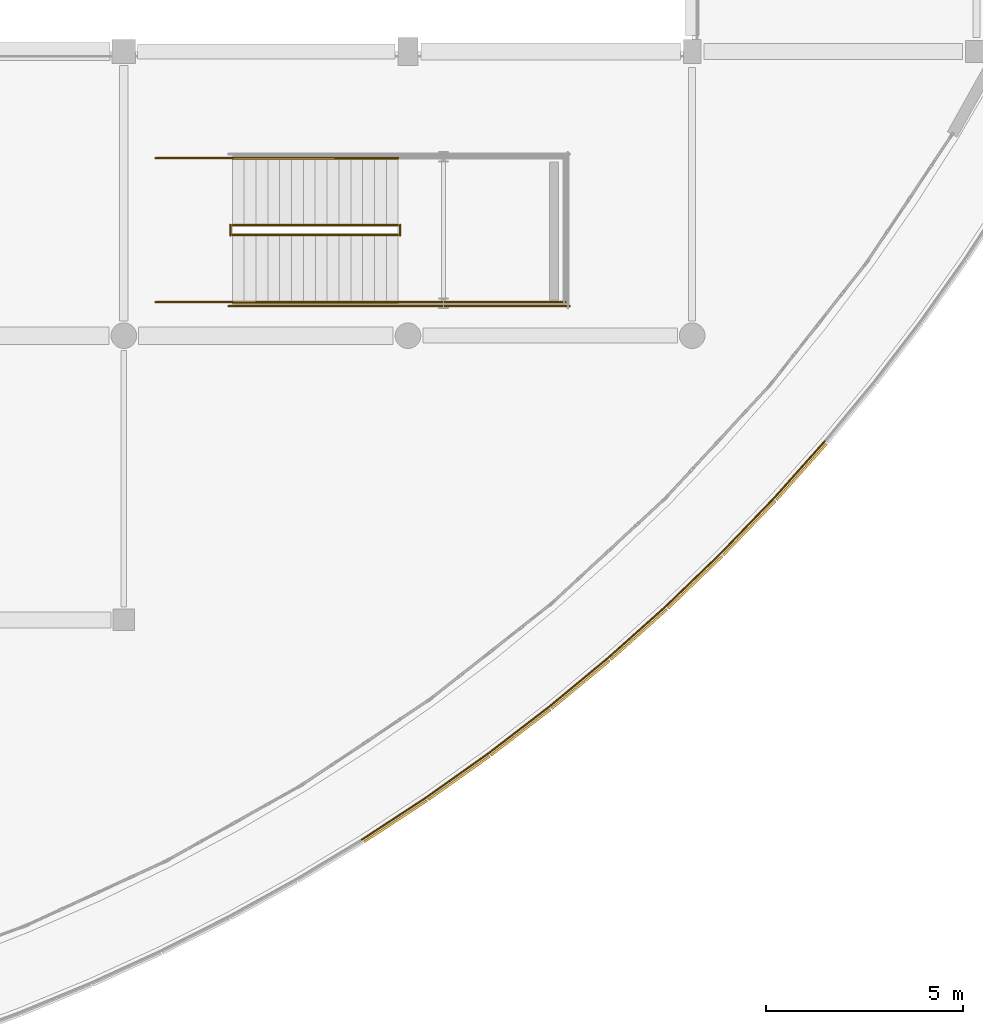
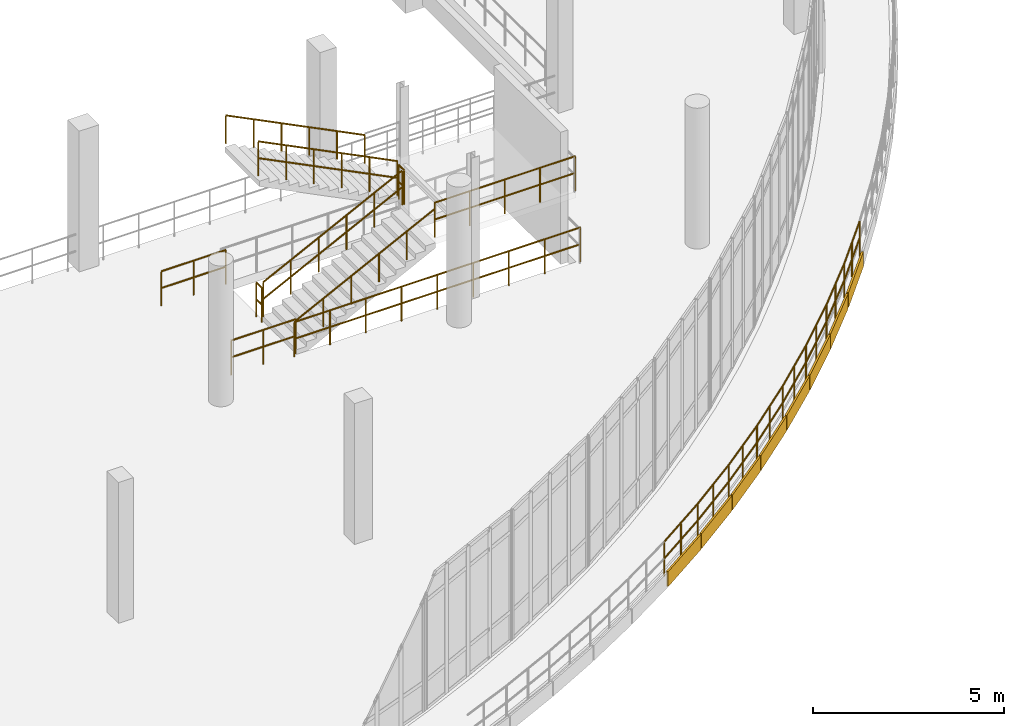
# One storey, part 124 of 134: 18 railings, 8 coverings.
"""IFC4 building model written with IfcOpenShell, lengths in metres."""

from ifc_helpers import new_model, si_unit, direction, frame, origin, origin_2d, place, context, subcontext, project, spatial, rectangle, circle, extrude, material, layer, layer_set, type_object, element, save


model = new_model("IFC4")

# Units and contexts
model_context = context("Model", 3, precision=1e-05, world=origin(), true_north=direction((0.0, 1.0)))
body_context = subcontext(model_context, "Body", "Model", "MODEL_VIEW")
ifc_project = project(units=[si_unit("LENGTHUNIT", "METRE"), si_unit("AREAUNIT", "SQUARE_METRE"), si_unit("VOLUMEUNIT", "CUBIC_METRE"), si_unit("PLANEANGLEUNIT", "RADIAN"), si_unit("MASSUNIT", "GRAM", prefix="KILO")], contexts=[model_context])

# Site, building, storey
site_placement = place(None, origin())
site = spatial("IfcSite", under=ifc_project, at=site_placement, CompositionType="ELEMENT")
building_placement = place(site_placement, origin())
building = spatial("IfcBuilding", under=site, at=building_placement, Name="Kalluvel Institute of Natural Sciences", CompositionType="ELEMENT")
storey_placement = place(building_placement, frame((0.0, 0.0, 5.39990234375)))
storey = spatial("IfcBuildingStorey", under=building, at=storey_placement, Name="L01", CompositionType="ELEMENT", Elevation=5.39990234375)

# Coverings
ifc_material_1 = material(Name="Sadarahalli Grey Granite Ashlar Concrete M40", Category="masonry")
ifc_layer = layer(ifc_material_1, 0.044921875)
ifc_layer_set = layer_set([ifc_layer], Name="Sadarahalli Grey Granite Ashlar Concrete M40")
covering_type = type_object("IfcCoveringType", Name="COV-CLAD-STONE", PredefinedType="CLADDING", material=ifc_layer_set)
for number, where, z_axis, x_axis, name in (
    (1, (64.084716796875, 59.294677734375, -0.31982421875), (0.0, 0.0, 1.0), (0.836573126862, 0.547855275974, 0.0), "L01 curved terrace Sadarahalli stone spandrel fascia 218"),
    (2, (65.69140625, 60.39013671875, -0.31982421875), (0.0, 0.0, 1.0), (0.815532011604, 0.578711964667, 0.0), "L01 curved terrace Sadarahalli stone spandrel fascia 219"),
    (3, (67.256103515625, 61.544921875, -0.31982421875), (0.0, 0.0, 1.0), (0.793353340291, 0.608761429009, 0.0), "L01 curved terrace Sadarahalli stone spandrel fascia 220"),
):
    element("IfcCovering", number, at=place(storey_placement, frame(where, z_axis=z_axis, x_axis=x_axis)), inside=storey, type_object=covering_type, Name=name, PredefinedType="CLADDING", context=body_context, shape_type="SweptSolid", body=[
        extrude(rectangle(XDim=1.90478515625, YDim=0.054931640625, at=origin_2d()), origin(), (0.0, 0.0, 1.0), 0.47998046875),
    ])
covering_placement = place(storey_placement, frame((68.776611328125, 62.75732421875, -0.31982421875), z_axis=(0.0, 0.0, 1.0), x_axis=(0.770068049148, 0.637961754089, 0.0)))
element("IfcCovering", 4, at=covering_placement, inside=storey, type_object=covering_type, Name="L01 curved terrace Sadarahalli stone spandrel fascia 221", PredefinedType="CLADDING", context=body_context, shape_type="SweptSolid", body=[
    extrude(rectangle(XDim=1.904541015625, YDim=0.054931640625, at=origin_2d()), origin(), (0.0, 0.0, 1.0), 0.47998046875),
])
for number, where, z_axis, x_axis, name in (
    (5, (70.25048828125, 64.02587890625, -0.31982421875), (0.0, 0.0, 1.0), (0.745708617985, 0.666272209433, 0.0), "L01 curved terrace Sadarahalli stone spandrel fascia 222"),
    (6, (71.67626953125, 65.3486328125, -0.31982421875), (0.0, 0.0, 1.0), (0.720187948577, 0.693779012888, 0.0), "L01 curved terrace Sadarahalli stone spandrel fascia 223"),
    (7, (73.051513671875, 66.723876953125, -0.31982421875), (0.0, 0.0, 1.0), (0.693779012888, 0.720187948577, 0.0), "L01 curved terrace Sadarahalli stone spandrel fascia 224"),
    (8, (74.3740234375, 68.1494140625, -0.31982421875), (0.0, 0.0, 1.0), (0.666272209433, 0.745708617985, 0.0), "L01 curved terrace Sadarahalli stone spandrel fascia 225"),
):
    element("IfcCovering", number, at=place(storey_placement, frame(where, z_axis=z_axis, x_axis=x_axis)), inside=storey, type_object=covering_type, Name=name, PredefinedType="CLADDING", context=body_context, shape_type="SweptSolid", body=[
        extrude(rectangle(XDim=1.90478515625, YDim=0.054931640625, at=origin_2d()), origin(), (0.0, 0.0, 1.0), 0.47998046875),
    ])

# Railings
ifc_material_2 = material(Name="Steel E350 Grade 350", Category="steel")
railing_type_1 = type_object("IfcRailingType", Name="RL-BAL-EXT", PredefinedType="BALUSTRADE", material=ifc_material_2)
railing_1_placement = place(storey_placement, frame((63.228515625, 58.82958984375, 0.0)))
element("IfcRailing", 9, at=railing_1_placement, inside=storey, type_object=railing_type_1, Name="L01 curved atrium terrace balustrade", PredefinedType="BALUSTRADE", context=body_context, shape_type="SweptSolid", body=[
    extrude(circle(Radius=0.02392578125, at=origin_2d()), frame((0.0, 0.0, 1.09619140625), z_axis=(0.836643905497, 0.547747182006, 0.0), x_axis=(-0.547747182006, 0.836643905497, 0.0)), (0.0, 0.0, 1.0), 1.94189453125),
    extrude(circle(Radius=0.02392578125, at=origin_2d()), frame((0.0, 0.0, 0.56005859375), z_axis=(0.836643905497, 0.547747182006, 0.0), x_axis=(-0.547747182006, 0.836643905497, 0.0)), (0.0, 0.0, 1.0), 1.94189453125),
    extrude(circle(Radius=0.02099609375, at=origin_2d()), origin(), (0.0, 0.0, 1.0), 1.072021484375),
    extrude(circle(Radius=0.02099609375, at=origin_2d()), frame((0.8125, 0.53173828125, 0.0)), (0.0, 0.0, 1.0), 1.072021484375),
    extrude(circle(Radius=0.02099609375, at=origin_2d()), frame((1.624755859375, 1.063720703125, 0.0)), (0.0, 0.0, 1.0), 1.072021484375),
])
railing_2_placement = place(storey_placement, frame((64.853271484375, 59.893310546875, 0.0)))
element("IfcRailing", 10, at=railing_2_placement, inside=storey, type_object=railing_type_1, Name="L01 curved atrium terrace balustrade", PredefinedType="BALUSTRADE", context=body_context, shape_type="SweptSolid", body=[
    extrude(circle(Radius=0.02392578125, at=origin_2d()), frame((0.0, 0.0, 1.09619140625), z_axis=(0.815547338451, 0.578690365175, 0.0), x_axis=(-0.578690365175, 0.815547338451, 0.0)), (0.0, 0.0, 1.0), 1.94189453125),
    extrude(circle(Radius=0.02392578125, at=origin_2d()), frame((0.0, 0.0, 0.56005859375), z_axis=(0.815547338451, 0.578690365175, 0.0), x_axis=(-0.578690365175, 0.815547338451, 0.0)), (0.0, 0.0, 1.0), 1.94189453125),
    extrude(circle(Radius=0.02099609375, at=origin_2d()), origin(), (0.0, 0.0, 1.0), 1.072021484375),
    extrude(circle(Radius=0.02099609375, at=origin_2d()), frame((0.7919921875, 0.56201171875, 0.0)), (0.0, 0.0, 1.0), 1.072021484375),
    extrude(circle(Radius=0.02099609375, at=origin_2d()), frame((1.583740234375, 1.123779296875, 0.0)), (0.0, 0.0, 1.0), 1.072021484375),
])
railing_3_placement = place(storey_placement, frame((66.43701171875, 61.01708984375, 0.0)))
element("IfcRailing", 11, at=railing_3_placement, inside=storey, type_object=railing_type_1, Name="L01 curved atrium terrace balustrade", PredefinedType="BALUSTRADE", context=body_context, shape_type="SweptSolid", body=[
    extrude(circle(Radius=0.02392578125, at=origin_2d()), frame((0.0, 0.0, 1.09619140625), z_axis=(0.793329092883, 0.608793027544, 0.0), x_axis=(-0.608793027544, 0.793329092883, 0.0)), (0.0, 0.0, 1.0), 1.942138671875),
    extrude(circle(Radius=0.02392578125, at=origin_2d()), frame((0.0, 0.0, 0.56005859375), z_axis=(0.793329092883, 0.608793027544, 0.0), x_axis=(-0.608793027544, 0.793329092883, 0.0)), (0.0, 0.0, 1.0), 1.942138671875),
    extrude(circle(Radius=0.02099609375, at=origin_2d()), origin(), (0.0, 0.0, 1.0), 1.072021484375),
    extrude(circle(Radius=0.02099609375, at=origin_2d()), frame((0.7705078125, 0.59130859375, 0.0)), (0.0, 0.0, 1.0), 1.072021484375),
    extrude(circle(Radius=0.02099609375, at=origin_2d()), frame((1.540771484375, 1.182373046875, 0.0)), (0.0, 0.0, 1.0), 1.072021484375),
])
railing_4_placement = place(storey_placement, frame((67.977783203125, 62.199462890625, 0.0)))
element("IfcRailing", 12, at=railing_4_placement, inside=storey, type_object=railing_type_1, Name="L01 curved atrium terrace balustrade", PredefinedType="BALUSTRADE", context=body_context, shape_type="SweptSolid", body=[
    extrude(circle(Radius=0.02392578125, at=origin_2d()), frame((0.0, 0.0, 1.09619140625), z_axis=(0.769959798664, 0.638092398044, 0.0), x_axis=(-0.638092398044, 0.769959798664, 0.0)), (0.0, 0.0, 1.0), 1.942138671875),
    extrude(circle(Radius=0.02392578125, at=origin_2d()), frame((0.0, 0.0, 0.56005859375), z_axis=(0.769959798664, 0.638092398044, 0.0), x_axis=(-0.638092398044, 0.769959798664, 0.0)), (0.0, 0.0, 1.0), 1.942138671875),
    extrude(circle(Radius=0.02099609375, at=origin_2d()), origin(), (0.0, 0.0, 1.0), 1.072021484375),
    extrude(circle(Radius=0.02099609375, at=origin_2d()), frame((0.74755859375, 0.61962890625, 0.0)), (0.0, 0.0, 1.0), 1.072021484375),
    extrude(circle(Radius=0.02099609375, at=origin_2d()), frame((1.495361328125, 1.2392578125, 0.0)), (0.0, 0.0, 1.0), 1.072021484375),
])
railing_5_placement = place(storey_placement, frame((69.47314453125, 63.438720703125, 0.0)))
element("IfcRailing", 13, at=railing_5_placement, inside=storey, type_object=railing_type_1, Name="L01 curved atrium terrace balustrade", PredefinedType="BALUSTRADE", context=body_context, shape_type="SweptSolid", body=[
    extrude(circle(Radius=0.02392578125, at=origin_2d()), frame((0.0, 0.0, 1.09619140625), z_axis=(0.74571457068, 0.666265546967, 0.0), x_axis=(-0.666265546967, 0.74571457068, 0.0)), (0.0, 0.0, 1.0), 1.942138671875),
    extrude(circle(Radius=0.02392578125, at=origin_2d()), frame((0.0, 0.0, 0.56005859375), z_axis=(0.74571457068, 0.666265546967, 0.0), x_axis=(-0.666265546967, 0.74571457068, 0.0)), (0.0, 0.0, 1.0), 1.942138671875),
    extrude(circle(Radius=0.02099609375, at=origin_2d()), origin(), (0.0, 0.0, 1.0), 1.072021484375),
    extrude(circle(Radius=0.02099609375, at=origin_2d()), frame((0.72412109375, 0.64697265625, 0.0)), (0.0, 0.0, 1.0), 1.072021484375),
    extrude(circle(Radius=0.02099609375, at=origin_2d()), frame((1.4482421875, 1.2939453125, 0.0)), (0.0, 0.0, 1.0), 1.072021484375),
])
railing_6_placement = place(storey_placement, frame((70.92138671875, 64.732666015625, 0.0)))
element("IfcRailing", 14, at=railing_6_placement, inside=storey, type_object=railing_type_1, Name="L01 curved atrium terrace balustrade", PredefinedType="BALUSTRADE", context=body_context, shape_type="SweptSolid", body=[
    extrude(circle(Radius=0.02392578125, at=origin_2d()), frame((0.0, 0.0, 1.09619140625), z_axis=(0.720245762053, 0.693718993718, 0.0), x_axis=(-0.693718993718, 0.720245762053, 0.0)), (0.0, 0.0, 1.0), 1.94189453125),
    extrude(circle(Radius=0.02392578125, at=origin_2d()), frame((0.0, 0.0, 0.56005859375), z_axis=(0.720245762053, 0.693718993718, 0.0), x_axis=(-0.693718993718, 0.720245762053, 0.0)), (0.0, 0.0, 1.0), 1.94189453125),
    extrude(circle(Radius=0.02099609375, at=origin_2d()), origin(), (0.0, 0.0, 1.0), 1.072021484375),
    extrude(circle(Radius=0.02099609375, at=origin_2d()), frame((0.69921875, 0.673583984375, 0.0)), (0.0, 0.0, 1.0), 1.072021484375),
    extrude(circle(Radius=0.02099609375, at=origin_2d()), frame((1.398681640625, 1.34716796875, 0.0)), (0.0, 0.0, 1.0), 1.072021484375),
])
railing_7_placement = place(storey_placement, frame((72.320068359375, 66.079833984375, 0.0)))
element("IfcRailing", 15, at=railing_7_placement, inside=storey, type_object=railing_type_1, Name="L01 curved atrium terrace balustrade", PredefinedType="BALUSTRADE", context=body_context, shape_type="SweptSolid", body=[
    extrude(circle(Radius=0.02392578125, at=origin_2d()), frame((0.0, 0.0, 1.09619140625), z_axis=(0.693784202561, 0.720182949171, 0.0), x_axis=(-0.720182949171, 0.693784202561, 0.0)), (0.0, 0.0, 1.0), 1.942138671875),
    extrude(circle(Radius=0.02392578125, at=origin_2d()), frame((0.0, 0.0, 0.56005859375), z_axis=(0.693784202561, 0.720182949171, 0.0), x_axis=(-0.720182949171, 0.693784202561, 0.0)), (0.0, 0.0, 1.0), 1.942138671875),
    extrude(circle(Radius=0.02099609375, at=origin_2d()), origin(), (0.0, 0.0, 1.0), 1.072021484375),
    extrude(circle(Radius=0.02099609375, at=origin_2d()), frame((0.673828125, 0.69921875, 0.0)), (0.0, 0.0, 1.0), 1.072021484375),
    extrude(circle(Radius=0.02099609375, at=origin_2d()), frame((1.347412109375, 1.398681640625, 0.0)), (0.0, 0.0, 1.0), 1.072021484375),
])
railing_8_placement = place(storey_placement, frame((73.66748046875, 67.478515625, 0.0)))
element("IfcRailing", 16, at=railing_8_placement, inside=storey, type_object=railing_type_1, Name="L01 curved atrium terrace balustrade", PredefinedType="BALUSTRADE", context=body_context, shape_type="SweptSolid", body=[
    extrude(circle(Radius=0.02392578125, at=origin_2d()), frame((0.0, 0.0, 1.09619140625), z_axis=(0.666265546967, 0.74571457068, 0.0), x_axis=(-0.74571457068, 0.666265546967, 0.0)), (0.0, 0.0, 1.0), 1.942138671875),
    extrude(circle(Radius=0.02392578125, at=origin_2d()), frame((0.0, 0.0, 0.56005859375), z_axis=(0.666265546967, 0.74571457068, 0.0), x_axis=(-0.74571457068, 0.666265546967, 0.0)), (0.0, 0.0, 1.0), 1.942138671875),
    extrude(circle(Radius=0.02099609375, at=origin_2d()), origin(), (0.0, 0.0, 1.0), 1.072021484375),
    extrude(circle(Radius=0.02099609375, at=origin_2d()), frame((0.64697265625, 0.72412109375, 0.0)), (0.0, 0.0, 1.0), 1.072021484375),
    extrude(circle(Radius=0.02099609375, at=origin_2d()), frame((1.2939453125, 1.4482421875, 0.0)), (0.0, 0.0, 1.0), 1.072021484375),
])
ifc_material_3 = material(Name="Galvanized Fire-Rated Steel", Category="steel")
railing_type_2 = type_object("IfcRailingType", Name="RL-GD-STAIR", PredefinedType="BALUSTRADE", material=ifc_material_3)
railing_9_placement = place(storey_placement, frame((59.949951171875, 74.14990234375, 0.150146484375)))
element("IfcRailing", 17, at=railing_9_placement, inside=storey, type_object=railing_type_2, Name="L01 ST6 stair guard 1", PredefinedType="BALUSTRADE", context=body_context, shape_type="SweptSolid", body=[
    extrude(circle(Radius=0.02392578125, at=origin_2d()), frame((0.0, 0.0, 1.09619140625), z_axis=(0.894437589381, 0.0, 0.447192798132), x_axis=(0.0, 1.0, 0.0)), (0.0, 0.0, 1.0), 4.695556640625),
    extrude(circle(Radius=0.02392578125, at=origin_2d()), frame((0.0, 0.0, 0.56005859375), z_axis=(0.894437589381, 0.0, 0.447192798132), x_axis=(0.0, 1.0, 0.0)), (0.0, 0.0, 1.0), 4.695556640625),
    extrude(circle(Radius=0.02099609375, at=origin_2d()), origin(), (0.0, 0.0, 1.0), 1.072021484375),
    extrude(circle(Radius=0.02099609375, at=origin_2d()), frame((0.840087890625, 0.0, 0.419921875)), (0.0, 0.0, 1.0), 1.072021484375),
    extrude(circle(Radius=0.02099609375, at=origin_2d()), frame((1.679931640625, 0.0, 0.83984375)), (0.0, 0.0, 1.0), 1.072021484375),
    extrude(circle(Radius=0.02099609375, at=origin_2d()), frame((2.52001953125, 0.0, 1.260009765625)), (0.0, 0.0, 1.0), 1.072021484375),
    extrude(circle(Radius=0.02099609375, at=origin_2d()), frame((3.35986328125, 0.0, 1.679931640625)), (0.0, 0.0, 1.0), 1.072021484375),
    extrude(circle(Radius=0.02099609375, at=origin_2d()), frame((4.199951171875, 0.0, 2.099853515625)), (0.0, 0.0, 1.0), 1.072021484375),
])
railing_10_placement = place(storey_placement, frame((64.199951171875, 74.135009765625, 2.25)))
element("IfcRailing", 18, at=railing_10_placement, inside=storey, type_object=railing_type_2, Name="L01 ST6 stair guard 2", PredefinedType="BALUSTRADE", context=body_context, shape_type="SweptSolid", body=[
    extrude(circle(Radius=0.02392578125, at=origin_2d()), frame((0.0, 0.0, 1.09619140625), z_axis=(0.0, 1.0, 0.0), x_axis=(-1.0, 0.0, 0.0)), (0.0, 0.0, 1.0), 0.280029296875),
    extrude(circle(Radius=0.02392578125, at=origin_2d()), frame((0.0, 0.0, 0.56005859375), z_axis=(0.0, 1.0, 0.0), x_axis=(-1.0, 0.0, 0.0)), (0.0, 0.0, 1.0), 0.280029296875),
    extrude(circle(Radius=0.02099609375, at=origin_2d()), origin(), (0.0, 0.0, 1.0), 1.072021484375),
    extrude(circle(Radius=0.02099609375, at=origin_2d()), frame((0.0, 0.280029296875, 0.0)), (0.0, 0.0, 1.0), 1.072021484375),
])
railing_11_placement = place(storey_placement, frame((64.14990234375, 72.449951171875, 2.25)))
element("IfcRailing", 19, at=railing_11_placement, inside=storey, type_object=railing_type_2, Name="L01 ST6 stair guard 3", PredefinedType="BALUSTRADE", context=body_context, shape_type="SweptSolid", body=[
    extrude(circle(Radius=0.02392578125, at=origin_2d()), frame((0.0, 0.0, 1.09619140625), z_axis=(1.0, 0.0, 0.0), x_axis=(0.0, 1.0, 0.0)), (0.0, 0.0, 1.0), 4.25),
    extrude(circle(Radius=0.02392578125, at=origin_2d()), frame((0.0, 0.0, 0.56005859375), z_axis=(1.0, 0.0, 0.0), x_axis=(0.0, 1.0, 0.0)), (0.0, 0.0, 1.0), 4.25),
    extrude(circle(Radius=0.02099609375, at=origin_2d()), origin(), (0.0, 0.0, 1.0), 1.072021484375),
    extrude(circle(Radius=0.02099609375, at=origin_2d()), frame((1.0625, 0.0, 0.0)), (0.0, 0.0, 1.0), 1.072021484375),
    extrude(circle(Radius=0.02099609375, at=origin_2d()), frame((2.125, 0.0, 0.0)), (0.0, 0.0, 1.0), 1.072021484375),
    extrude(circle(Radius=0.02099609375, at=origin_2d()), frame((3.1875, 0.0, 0.0)), (0.0, 0.0, 1.0), 1.072021484375),
    extrude(circle(Radius=0.02099609375, at=origin_2d()), frame((4.25, 0.0, 0.0)), (0.0, 0.0, 1.0), 1.072021484375),
])
railing_12_placement = place(storey_placement, frame((64.14990234375, 74.39990234375, 2.400146484375)))
element("IfcRailing", 20, at=railing_12_placement, inside=storey, type_object=railing_type_2, Name="L01 ST6 stair guard 6", PredefinedType="BALUSTRADE", context=body_context, shape_type="SweptSolid", body=[
    extrude(circle(Radius=0.02392578125, at=origin_2d()), frame((0.0, 0.0, 1.09619140625), z_axis=(-0.894437589381, 0.0, 0.447192798132), x_axis=(0.0, -1.0, 0.0)), (0.0, 0.0, 1.0), 4.695556640625),
    extrude(circle(Radius=0.02392578125, at=origin_2d()), frame((0.0, 0.0, 0.56005859375), z_axis=(-0.894437589381, 0.0, 0.447192798132), x_axis=(0.0, -1.0, 0.0)), (0.0, 0.0, 1.0), 4.695556640625),
    extrude(circle(Radius=0.02099609375, at=origin_2d()), origin(), (0.0, 0.0, 1.0), 1.072021484375),
    extrude(circle(Radius=0.02099609375, at=origin_2d()), frame((-0.840087890625, 0.0, 0.419921875)), (0.0, 0.0, 1.0), 1.072021484375),
    extrude(circle(Radius=0.02099609375, at=origin_2d()), frame((-1.679931640625, 0.0, 0.83984375)), (0.0, 0.0, 1.0), 1.072021484375),
    extrude(circle(Radius=0.02099609375, at=origin_2d()), frame((-2.52001953125, 0.0, 1.260009765625)), (0.0, 0.0, 1.0), 1.072021484375),
    extrude(circle(Radius=0.02099609375, at=origin_2d()), frame((-3.35986328125, 0.0, 1.679931640625)), (0.0, 0.0, 1.0), 1.072021484375),
    extrude(circle(Radius=0.02099609375, at=origin_2d()), frame((-4.199951171875, 0.0, 2.099853515625)), (0.0, 0.0, 1.0), 1.072021484375),
])
railing_13_placement = place(storey_placement, frame((59.89990234375, 74.135009765625, 0.0)))
element("IfcRailing", 21, at=railing_13_placement, inside=storey, type_object=railing_type_2, Name="L01 ST6 stair guard 7", PredefinedType="BALUSTRADE", context=body_context, shape_type="SweptSolid", body=[
    extrude(circle(Radius=0.02392578125, at=origin_2d()), frame((0.0, 0.0, 1.09619140625), z_axis=(0.0, 1.0, 0.0), x_axis=(-1.0, 0.0, 0.0)), (0.0, 0.0, 1.0), 0.280029296875),
    extrude(circle(Radius=0.02392578125, at=origin_2d()), frame((0.0, 0.0, 0.56005859375), z_axis=(0.0, 1.0, 0.0), x_axis=(-1.0, 0.0, 0.0)), (0.0, 0.0, 1.0), 0.280029296875),
    extrude(circle(Radius=0.02099609375, at=origin_2d()), origin(), (0.0, 0.0, 1.0), 1.072021484375),
    extrude(circle(Radius=0.02099609375, at=origin_2d()), frame((0.0, 0.280029296875, 0.0)), (0.0, 0.0, 1.0), 1.072021484375),
])
for number, where, name in (
    (22, (58.0, 72.449951171875, 0.0), "L01 ST6 stair guard 8"),
    (23, (58.0, 76.10009765625, 0.0), "L01 ST6 stair guard 9"),
):
    element("IfcRailing", number, at=place(storey_placement, frame(where)), inside=storey, type_object=railing_type_2, Name=name, PredefinedType="BALUSTRADE", context=body_context, shape_type="SweptSolid", body=[
        extrude(circle(Radius=0.02392578125, at=origin_2d()), frame((0.0, 0.0, 1.09619140625), z_axis=(1.0, 0.0, 0.0), x_axis=(0.0, 1.0, 0.0)), (0.0, 0.0, 1.0), 1.949951171875),
        extrude(circle(Radius=0.02392578125, at=origin_2d()), frame((0.0, 0.0, 0.56005859375), z_axis=(1.0, 0.0, 0.0), x_axis=(0.0, 1.0, 0.0)), (0.0, 0.0, 1.0), 1.949951171875),
        extrude(circle(Radius=0.02099609375, at=origin_2d()), origin(), (0.0, 0.0, 1.0), 1.072021484375),
        extrude(circle(Radius=0.02099609375, at=origin_2d()), frame((0.97509765625, 0.0, 0.0)), (0.0, 0.0, 1.0), 1.072021484375),
        extrude(circle(Radius=0.02099609375, at=origin_2d()), frame((1.949951171875, 0.0, 0.0)), (0.0, 0.0, 1.0), 1.072021484375),
    ])
railing_14_placement = place(storey_placement, frame((59.85009765625, 72.35009765625, 0.0)))
element("IfcRailing", 24, at=railing_14_placement, inside=storey, type_object=railing_type_2, Name="L01 ST6 stair guard 10", PredefinedType="BALUSTRADE", context=body_context, shape_type="SweptSolid", body=[
    extrude(circle(Radius=0.02392578125, at=origin_2d()), frame((0.0, 0.0, 1.09619140625), z_axis=(1.0, 0.0, 0.0), x_axis=(0.0, 1.0, 0.0)), (0.0, 0.0, 1.0), 8.64990234375),
    extrude(circle(Radius=0.02392578125, at=origin_2d()), frame((0.0, 0.0, 0.56005859375), z_axis=(1.0, 0.0, 0.0), x_axis=(0.0, 1.0, 0.0)), (0.0, 0.0, 1.0), 8.64990234375),
    extrude(circle(Radius=0.02099609375, at=origin_2d()), origin(), (0.0, 0.0, 1.0), 1.072021484375),
    extrude(circle(Radius=0.02099609375, at=origin_2d()), frame((1.081298828125, 0.0, 0.0)), (0.0, 0.0, 1.0), 1.072021484375),
    extrude(circle(Radius=0.02099609375, at=origin_2d()), frame((2.16259765625, 0.0, 0.0)), (0.0, 0.0, 1.0), 1.072021484375),
    extrude(circle(Radius=0.02099609375, at=origin_2d()), frame((3.24365234375, 0.0, 0.0)), (0.0, 0.0, 1.0), 1.072021484375),
    extrude(circle(Radius=0.02099609375, at=origin_2d()), frame((4.324951171875, 0.0, 0.0)), (0.0, 0.0, 1.0), 1.072021484375),
    extrude(circle(Radius=0.02099609375, at=origin_2d()), frame((5.40625, 0.0, 0.0)), (0.0, 0.0, 1.0), 1.072021484375),
    extrude(circle(Radius=0.02099609375, at=origin_2d()), frame((6.4873046875, 0.0, 0.0)), (0.0, 0.0, 1.0), 1.072021484375),
    extrude(circle(Radius=0.02099609375, at=origin_2d()), frame((7.568603515625, 0.0, 0.0)), (0.0, 0.0, 1.0), 1.072021484375),
    extrude(circle(Radius=0.02099609375, at=origin_2d()), frame((8.64990234375, 0.0, 0.0)), (0.0, 0.0, 1.0), 1.072021484375),
])
railing_type_3 = type_object("IfcRailingType", Name="RL-HR-STAIR", PredefinedType="HANDRAIL", material=ifc_material_3)
railing_15_placement = place(storey_placement, frame((59.949951171875, 72.449951171875, 0.150146484375)))
element("IfcRailing", 25, at=railing_15_placement, inside=storey, type_object=railing_type_3, Name="L01 ST6 stair handrail 1", PredefinedType="HANDRAIL", context=body_context, shape_type="SweptSolid", body=[
    extrude(circle(Radius=0.02392578125, at=origin_2d()), frame((0.0, 0.0, 0.89599609375), z_axis=(0.894437589381, 0.0, 0.447192798132), x_axis=(0.0, 1.0, 0.0)), (0.0, 0.0, 1.0), 4.695556640625),
    extrude(circle(Radius=0.02099609375, at=origin_2d()), origin(), (0.0, 0.0, 1.0), 0.871826171875),
    extrude(circle(Radius=0.02099609375, at=origin_2d()), frame((0.840087890625, 0.0, 0.419921875)), (0.0, 0.0, 1.0), 0.871826171875),
    extrude(circle(Radius=0.02099609375, at=origin_2d()), frame((1.679931640625, 0.0, 0.83984375)), (0.0, 0.0, 1.0), 0.871826171875),
    extrude(circle(Radius=0.02099609375, at=origin_2d()), frame((2.52001953125, 0.0, 1.260009765625)), (0.0, 0.0, 1.0), 0.871826171875),
    extrude(circle(Radius=0.02099609375, at=origin_2d()), frame((3.35986328125, 0.0, 1.679931640625)), (0.0, 0.0, 1.0), 0.871826171875),
    extrude(circle(Radius=0.02099609375, at=origin_2d()), frame((4.199951171875, 0.0, 2.099853515625)), (0.0, 0.0, 1.0), 0.871826171875),
])
railing_16_placement = place(storey_placement, frame((64.14990234375, 76.10009765625, 2.400146484375)))
element("IfcRailing", 26, at=railing_16_placement, inside=storey, type_object=railing_type_3, Name="L01 ST6 stair handrail 2", PredefinedType="HANDRAIL", context=body_context, shape_type="SweptSolid", body=[
    extrude(circle(Radius=0.02392578125, at=origin_2d()), frame((0.0, 0.0, 0.89599609375), z_axis=(-0.894437589381, 0.0, 0.447192798132), x_axis=(0.0, -1.0, 0.0)), (0.0, 0.0, 1.0), 4.695556640625),
    extrude(circle(Radius=0.02099609375, at=origin_2d()), origin(), (0.0, 0.0, 1.0), 0.871826171875),
    extrude(circle(Radius=0.02099609375, at=origin_2d()), frame((-0.840087890625, 0.0, 0.419921875)), (0.0, 0.0, 1.0), 0.871826171875),
    extrude(circle(Radius=0.02099609375, at=origin_2d()), frame((-1.679931640625, 0.0, 0.83984375)), (0.0, 0.0, 1.0), 0.871826171875),
    extrude(circle(Radius=0.02099609375, at=origin_2d()), frame((-2.52001953125, 0.0, 1.260009765625)), (0.0, 0.0, 1.0), 0.871826171875),
    extrude(circle(Radius=0.02099609375, at=origin_2d()), frame((-3.35986328125, 0.0, 1.679931640625)), (0.0, 0.0, 1.0), 0.871826171875),
    extrude(circle(Radius=0.02099609375, at=origin_2d()), frame((-4.199951171875, 0.0, 2.099853515625)), (0.0, 0.0, 1.0), 0.871826171875),
])

save(model, "model.ifc")
